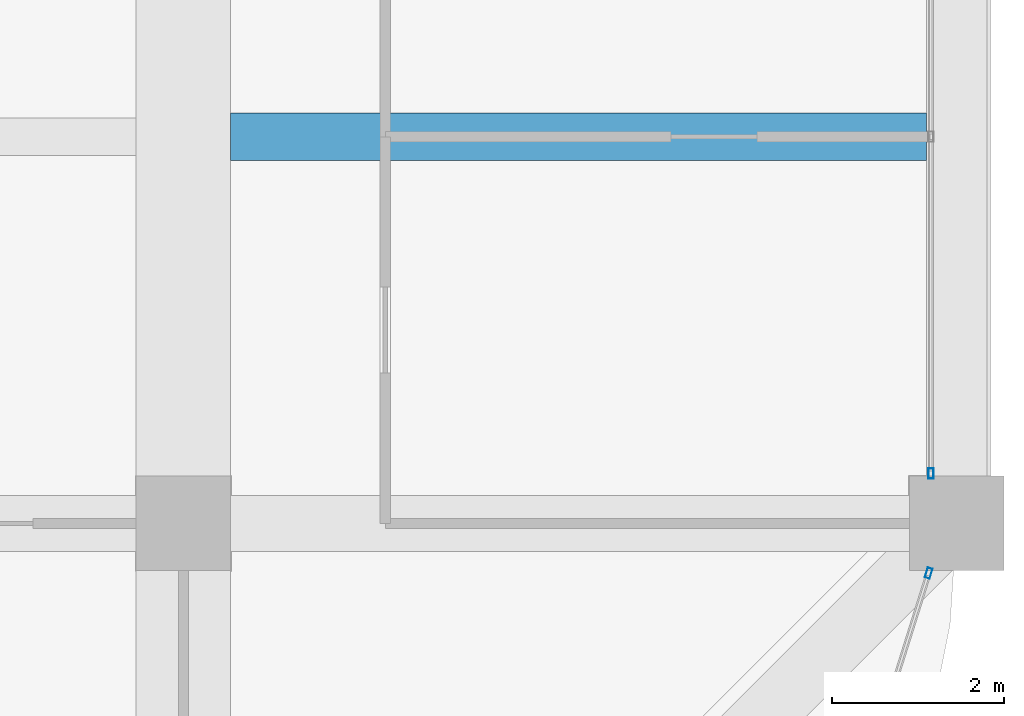
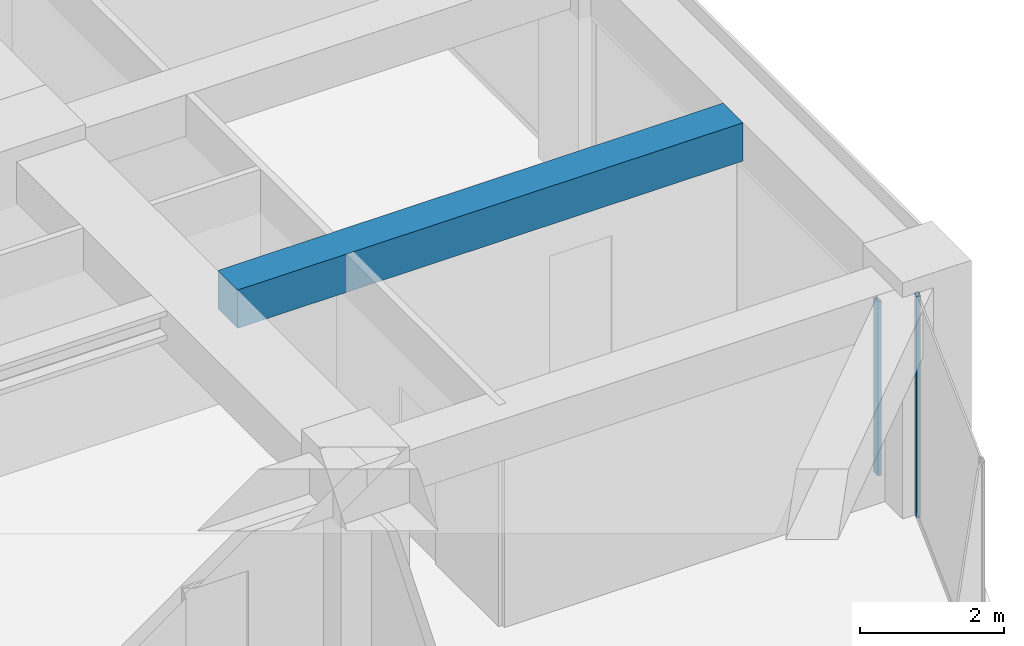
# One storey, part 22 of 45: 2 members, 1 beam, 2 elements without a shape of their own.
"""IFC4 building model written with IfcOpenShell, lengths in metres."""

from ifc_helpers import new_model, si_unit, direction, frame, origin, origin_2d, place, context, subcontext, project, spatial, rectangle, hollow_rectangle, extrude, material, material_profile, profile_set, type_object, element, aggregate, save


model = new_model("IFC4")

# Units and contexts
model_context = context("Model", 3, precision=1e-05, world=origin(), true_north=direction((0.0, 1.0)))
body_context = subcontext(model_context, "Body", "Model", "MODEL_VIEW")
ifc_project = project(units=[si_unit("LENGTHUNIT", "METRE"), si_unit("AREAUNIT", "SQUARE_METRE"), si_unit("VOLUMEUNIT", "CUBIC_METRE"), si_unit("PLANEANGLEUNIT", "RADIAN"), si_unit("MASSUNIT", "GRAM", prefix="KILO")], contexts=[model_context])

# Site, building, storey
site_placement = place(None, origin())
site = spatial("IfcSite", under=ifc_project, at=site_placement, CompositionType="ELEMENT")
building_placement = place(site_placement, origin())
building = spatial("IfcBuilding", under=site, at=building_placement, Name="Zorevar Civic Tower", CompositionType="ELEMENT")
storey_placement = place(building_placement, frame((0.0, 0.0, 303.39990234375)))
storey = spatial("IfcBuildingStorey", under=building, at=storey_placement, Name="L74", CompositionType="ELEMENT", Elevation=303.39990234375)

# Beam
ifc_material_1 = material(Name="Concrete C50/60", Category="concrete")
ifc_material_profile_1 = material_profile(ifc_material_1, rectangle(XDim=0.550048828125, YDim=0.64990234375, at=origin_2d()), Name="RC 550x650")
ifc_profile_set_1 = profile_set([ifc_material_profile_1], Name="Concrete C50/60")
beam_type = type_object("IfcBeamType", Name="Beam RC 550x650", PredefinedType="BEAM", material=ifc_profile_set_1)
beam_placement = place(storey_placement, frame((45.550048828125, 13.5, 3.425048828125), z_axis=(1.0, 0.0, 0.0), x_axis=(0.0, 1.0, 0.0)))
element("IfcBeam", 1, at=beam_placement, inside=storey, type_object=beam_type, Name="Secondary beam L75", PredefinedType="BEAM", context=body_context, shape_type="SweptSolid", body=[
    extrude(rectangle(XDim=0.550048828125, YDim=0.64990234375, at=origin_2d()), origin(), (0.0, 0.0, 1.0), 8.099853515625),
])

# Curtain wall, member
ifc_material_2 = material(Name="Dark grey solar-control glass in black aluminium frame", Category="aluminium")
curtain_wall_type = type_object("IfcCurtainWallType", Name="Curtain wall CW5 top zone", PredefinedType="NOTDEFINED", material=ifc_material_2)
curtain_wall_1_placement = place(storey_placement, origin())
curtain_wall_1 = element("IfcCurtainWall", 2, at=curtain_wall_1_placement, inside=storey, type_object=curtain_wall_type, Name="CW5 L74", PredefinedType="NOTDEFINED")
ifc_material_3 = material(Name="Aluminium, black anodised", Category="aluminium")
ifc_material_profile_2 = material_profile(ifc_material_3, hollow_rectangle(XDim=0.06005859375, YDim=0.1201171875, WallThickness=0.0029296875, at=origin_2d()), Name="AL 120x60x3")
ifc_profile_set_2 = profile_set([ifc_material_profile_2], Name="Aluminium, black anodised")
member_type = type_object("IfcMemberType", Name="CW5 mullion AL 120x60x3", PredefinedType="MULLION", material=ifc_profile_set_2)
member_1_placement = place(storey_placement, frame((53.699951171875, 9.580078125, 0.0), z_axis=(0.0, 0.0, 1.0), x_axis=(-1.0, 0.0, 0.0)))
member_1 = element("IfcMember", 3, at=member_1_placement, type_object=member_type, Name="CW5 mullion 1", PredefinedType="MULLION", context=body_context, shape_type="SweptSolid", body=[
    extrude(hollow_rectangle(XDim=0.06005859375, YDim=0.1201171875, WallThickness=0.0029296875, at=origin_2d()), origin(), (0.0, 0.0, 1.0), 2.9501953125),
])
aggregate(curtain_wall_1, [member_1])

curtain_wall_2_placement = place(storey_placement, origin())
curtain_wall_2 = element("IfcCurtainWall", 4, at=curtain_wall_2_placement, inside=storey, type_object=curtain_wall_type, Name="CW5 L74", PredefinedType="NOTDEFINED")
member_2_placement = place(storey_placement, frame((53.673583984375, 8.42138671875, 0.0), z_axis=(0.0, 0.0, 1.0), x_axis=(-0.954153437674, 0.299317920238, 0.0)))
member_2 = element("IfcMember", 5, at=member_2_placement, type_object=member_type, Name="CW5 mullion 2", PredefinedType="MULLION", context=body_context, shape_type="SweptSolid", body=[
    extrude(hollow_rectangle(XDim=0.06005859375, YDim=0.1201171875, WallThickness=0.0029296875, at=origin_2d()), origin(), (0.0, 0.0, 1.0), 3.75),
])
aggregate(curtain_wall_2, [member_2])

save(model, "model.ifc")
